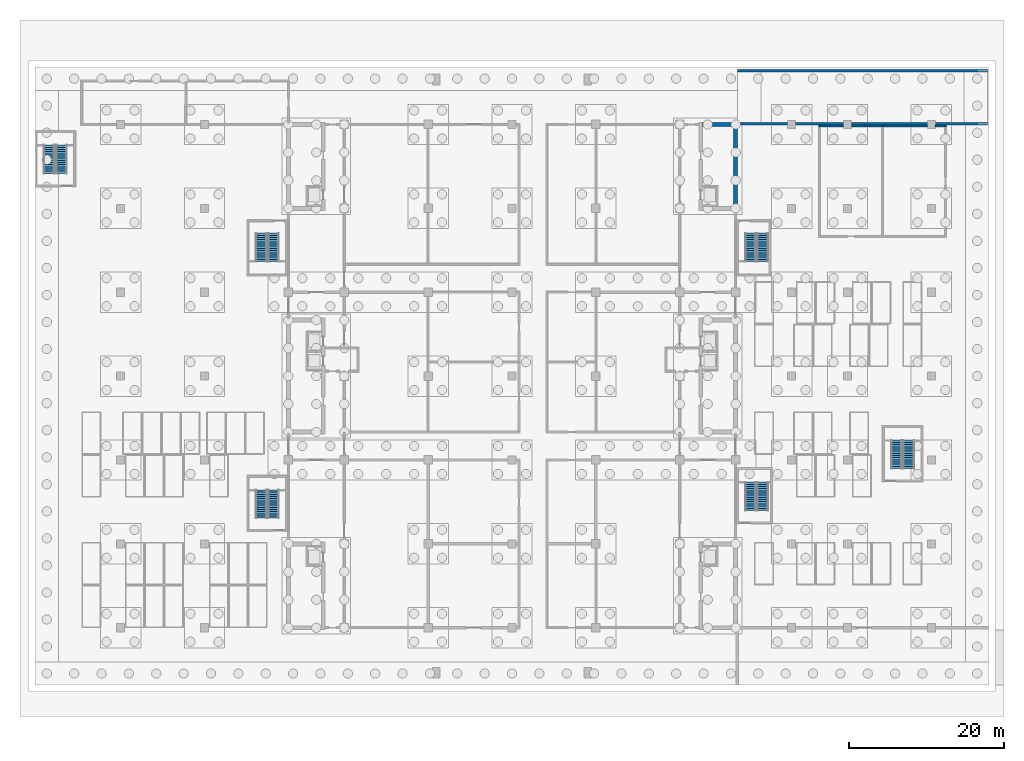
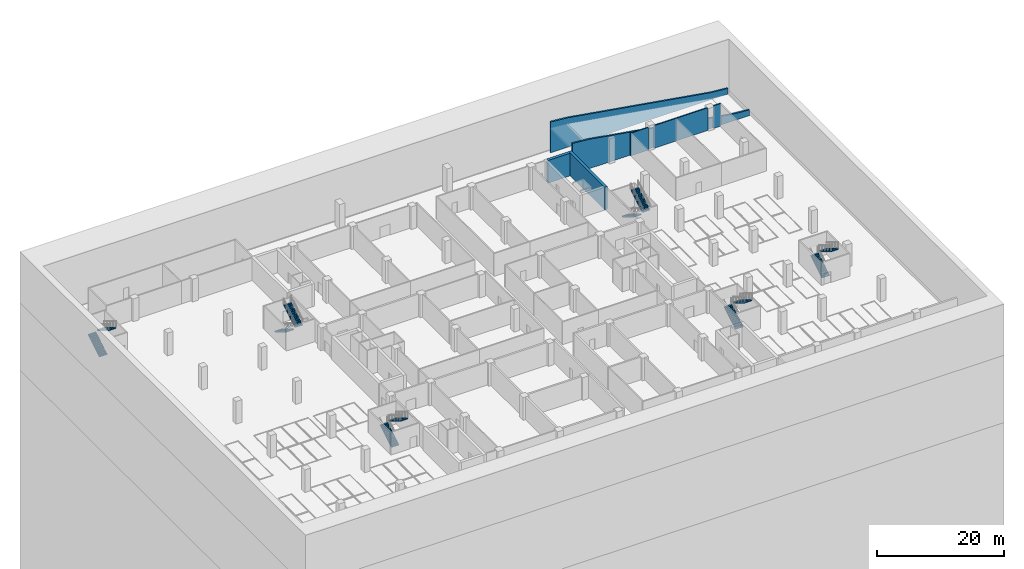
# One storey, part 12 of 18: 12 stair flights, 8 walls, 6 elements without a shape of their own.
"""IFC4 building model written with IfcOpenShell, lengths in metres."""

from ifc_helpers import new_model, si_unit, direction, frame, frame_2d, origin, place, context, subcontext, project, spatial, polyline, rectangle, outline, extrude, material, layer, layer_set, type_object, element, aggregate, save


model = new_model("IFC4")

# Units and contexts
model_context = context("Model", 3, precision=1e-05, world=origin(), true_north=direction((0.0, 1.0)))
body_context = subcontext(model_context, "Body", "Model", "MODEL_VIEW")
ifc_project = project(units=[si_unit("LENGTHUNIT", "METRE"), si_unit("AREAUNIT", "SQUARE_METRE"), si_unit("VOLUMEUNIT", "CUBIC_METRE"), si_unit("PLANEANGLEUNIT", "RADIAN"), si_unit("MASSUNIT", "GRAM", prefix="KILO")], contexts=[model_context])

# Site, building, storey
site_placement = place(None, origin())
site = spatial("IfcSite", under=ifc_project, at=site_placement, CompositionType="ELEMENT")
building_placement = place(site_placement, origin())
building = spatial("IfcBuilding", under=site, at=building_placement, Name="Basin Gate Institute", CompositionType="ELEMENT")
storey_placement = place(building_placement, frame((0.0, 0.0, -9.60009765625)))
storey = spatial("IfcBuildingStorey", under=building, at=storey_placement, Name="B2", CompositionType="ELEMENT", Elevation=-9.60009765625)

# Walls
ifc_material_1 = material(Name="Blockwork", Category="masonry")
ifc_layer_1 = layer(ifc_material_1, 0.199951171875)
ifc_layer_set_1 = layer_set([ifc_layer_1], Name="Basement fire partition EI 120")
wall_type_1 = type_object("IfcWallType", Name="Basement fire partition EI 120", PredefinedType="PARTITIONING", material=ifc_layer_set_1)
wall_1_placement = place(storey_placement, frame((129.5, 99.699951171875, 0.0), z_axis=(0.0, 0.0, 1.0), x_axis=(1.0, 0.0, 0.0)))
element("IfcWall", 1, at=wall_1_placement, inside=storey, type_object=wall_type_1, material=ifc_layer_set_1, Name="Substation fire-resisting wall", PredefinedType="PARTITIONING", context=body_context, shape_type="SweptSolid", body=[
    extrude(rectangle(XDim=3.175048828125, YDim=0.199951171875, at=frame_2d((1.58740234375, 0.0))), origin(), (0.0, 0.0, 1.0), 4.35009765625),
])
wall_2_placement = place(storey_placement, frame((133.72509765625, 99.699951171875, 0.0), z_axis=(0.0, 0.0, 1.0), x_axis=(1.0, 0.0, 0.0)))
element("IfcWall", 2, at=wall_2_placement, inside=storey, type_object=wall_type_1, material=ifc_layer_set_1, Name="Substation fire-resisting wall", PredefinedType="PARTITIONING", context=body_context, shape_type="SweptSolid", body=[
    extrude(rectangle(XDim=4.074951171875, YDim=0.199951171875, at=frame_2d((2.03759765625, 0.0))), origin(), (0.0, 0.0, 1.0), 4.35009765625),
])
wall_3_placement = place(storey_placement, frame((137.800048828125, 99.699951171875, 0.0), z_axis=(0.0, 0.0, 1.0), x_axis=(1.0, 0.0, 0.0)))
element("IfcWall", 3, at=wall_3_placement, inside=storey, type_object=wall_type_1, material=ifc_layer_set_1, Name="Generator Room fire-resisting wall", PredefinedType="PARTITIONING", context=body_context, shape_type="SweptSolid", body=[
    extrude(rectangle(XDim=5.675048828125, YDim=0.199951171875, at=frame_2d((2.83740234375, 0.0))), origin(), (0.0, 0.0, 1.0), 4.35009765625),
])
wall_4_placement = place(storey_placement, frame((144.52490234375, 99.699951171875, 0.0), z_axis=(0.0, 0.0, 1.0), x_axis=(1.0, 0.0, 0.0)))
element("IfcWall", 4, at=wall_4_placement, inside=storey, type_object=wall_type_1, material=ifc_layer_set_1, Name="Generator Room fire-resisting wall", PredefinedType="PARTITIONING", context=body_context, shape_type="SweptSolid", body=[
    extrude(rectangle(XDim=1.375, YDim=0.199951171875, at=frame_2d((0.6875, 0.0))), origin(), (0.0, 0.0, 1.0), 4.35009765625),
])
ifc_material_2 = material(Name="Concrete 40 MPa", Category="concrete")
ifc_layer_2 = layer(ifc_material_2, 0.300048828125)
ifc_layer_set_2 = layer_set([ifc_layer_2], Name="Concrete 40 MPa")
wall_type_2 = type_object("IfcWallType", Name="Wall RW1 ramp wall R180", PredefinedType="SOLIDWALL", material=ifc_layer_set_2)
for number, where, z_axis, x_axis, name in (
    (5, (119.050048828125, 100.0, 0.0), (0.0, 0.0, 1.0), (1.0, 0.0, 0.0), "Ramp wall RW1 R2 south"),
    (6, (119.050048828125, 106.800048828125, 0.0), (0.0, 0.0, 1.0), (1.0, 0.0, 0.0), "Ramp wall RW1 R2 north"),
):
    element("IfcWall", number, at=place(storey_placement, frame(where, z_axis=z_axis, x_axis=x_axis)), inside=storey, type_object=wall_type_2, material=ifc_layer_set_2, Name=name, PredefinedType="SOLIDWALL", context=body_context, shape_type="SweptSolid", body=[
        extrude(outline(polyline([(0.0, 0.0), (32.14990234375, 0.0), (32.14990234375, 1.10009765625), (32.0, 1.112548828125), (31.0, 1.19580078125), (30.0, 1.279296875), (29.14990234375, 1.35009765625), (29.0, 1.374755859375), (28.0, 1.539306640625), (27.0, 1.70361328125), (26.0, 1.8681640625), (25.0, 2.032470703125), (24.0, 2.19677734375), (23.0, 2.361328125), (22.0, 2.52587890625), (21.0, 2.690185546875), (20.0, 2.854736328125), (19.0, 3.01904296875), (18.0, 3.18359375), (17.0, 3.347900390625), (16.0, 3.512451171875), (15.0, 3.677001953125), (14.0, 3.84130859375), (13.0, 4.005615234375), (12.0, 4.170166015625), (11.0, 4.334716796875), (10.0, 4.4990234375), (9.0, 4.66357421875), (8.0, 4.827880859375), (7.0, 4.992431640625), (6.0, 5.15673828125), (5.0, 5.3212890625), (4.0, 5.485595703125), (3.0, 5.650146484375), (2.0, 5.7333984375), (1.0, 5.81689453125), (0.0, 5.900146484375), (0.0, 0.0)])), frame((0.0, 0.14990234375, 0.0), z_axis=(0.0, -1.0, 0.0), x_axis=(1.0, 0.0, 0.0)), (0.0, 0.0, 1.0), 0.300048828125),
    ])
ifc_material_3 = material(Name="Concrete 60 MPa", Category="concrete")
ifc_layer_3 = layer(ifc_material_3, 0.5)
ifc_layer_set_3 = layer_set([ifc_layer_3], Name="Concrete 60 MPa")
wall_type_3 = type_object("IfcWallType", Name="Wall SW1 R180", PredefinedType="SHEAR", material=ifc_layer_set_3)
wall_5_placement = place(storey_placement, frame((118.800048828125, 88.85009765625, 0.0), z_axis=(0.0, 0.0, 1.0), x_axis=(0.0, 1.0, 0.0)))
element("IfcWall", 7, at=wall_5_placement, inside=storey, type_object=wall_type_3, material=ifc_layer_set_3, Name="WALL/B2/EN/L", PredefinedType="SHEAR", context=body_context, shape_type="SweptSolid", body=[
    extrude(rectangle(XDim=11.2998046875, YDim=0.5, at=frame_2d((5.64990234375, 0.0))), origin(), (0.0, 0.0, 1.0), 4.35009765625),
])
wall_6_placement = place(storey_placement, frame((118.550048828125, 99.89990234375, 0.0), z_axis=(0.0, 0.0, 1.0), x_axis=(-1.0, 0.0, 0.0)))
element("IfcWall", 8, at=wall_6_placement, inside=storey, type_object=wall_type_3, material=ifc_layer_set_3, Name="WALL/B2/EN/N", PredefinedType="SHEAR", context=body_context, shape_type="SweptSolid", body=[
    extrude(rectangle(XDim=4.0, YDim=0.5, at=frame_2d((2.0, 0.0))), origin(), (0.0, 0.0, 1.0), 4.35009765625),
])

# Stair, stair flights
ifc_material_4 = material(Name="Concrete 40 MPa", Category="concrete")
stair_type = type_object("IfcStairType", Name="Stair ST", PredefinedType="HALF_TURN_STAIR", material=ifc_material_4)
stair_1_placement = place(storey_placement, origin())
stair_1 = element("IfcStair", 9, at=stair_1_placement, inside=storey, type_object=stair_type, material=ifc_material_4, Name="Basement stair ST-BS1 B2", PredefinedType="HALF_TURN_STAIR")
ifc_material_5 = material(Name="Concrete 40 MPa", Category="concrete")
stair_flight_type = type_object("IfcStairFlightType", Name="Stair flight FL", PredefinedType="STRAIGHT", material=ifc_material_5)
stair_flight_1_placement = place(storey_placement, frame((57.699951171875, 49.199951171875, 0.0), z_axis=(0.0, 0.0, 1.0), x_axis=(0.0, 1.0, 0.0)))
stair_flight_1 = element("IfcStairFlight", 10, at=stair_flight_1_placement, type_object=stair_flight_type, material=ifc_material_5, Name="Stair flight ST-BS1-F1 B2", NumberOfRisers=14, NumberOfTreads=13, PredefinedType="STRAIGHT", RiserHeight=0.171428571, TreadLength=0.28, context=body_context, shape_type="SweptSolid", body=[
    extrude(outline(polyline([(0.0, 0.0), (0.0, 0.17138671875), (0.280029296875, 0.17138671875), (0.280029296875, 0.3427734375), (0.56005859375, 0.3427734375), (0.56005859375, 0.514404296875), (0.840087890625, 0.514404296875), (0.840087890625, 0.685791015625), (1.1201171875, 0.685791015625), (1.1201171875, 0.857177734375), (1.39990234375, 0.857177734375), (1.39990234375, 1.028564453125), (1.679931640625, 1.028564453125), (1.679931640625, 1.199951171875), (1.9599609375, 1.199951171875), (1.9599609375, 1.371337890625), (2.239990234375, 1.371337890625), (2.239990234375, 1.54296875), (2.52001953125, 1.54296875), (2.52001953125, 1.71435546875), (2.800048828125, 1.71435546875), (2.800048828125, 1.8857421875), (3.080078125, 1.8857421875), (3.080078125, 2.05712890625), (3.360107421875, 2.05712890625), (3.360107421875, 2.228515625), (3.639892578125, 2.228515625), (3.639892578125, 2.39990234375), (3.639892578125, 2.052734375), (0.287109375, 0.0), (0.0, 0.0)])), frame((0.0, 0.699951171875, 0.0), z_axis=(0.0, -1.0, 0.0), x_axis=(1.0, 0.0, 0.0)), (0.0, 0.0, 1.0), 1.39990234375),
])
stair_flight_2_placement = place(storey_placement, frame((59.300048828125, 52.840087890625, 2.400146484375), z_axis=(0.0, 0.0, 1.0), x_axis=(0.0, -1.0, 0.0)))
stair_flight_2 = element("IfcStairFlight", 11, at=stair_flight_2_placement, type_object=stair_flight_type, material=ifc_material_5, Name="Stair flight ST-BS1-F2 B2", NumberOfRisers=14, NumberOfTreads=13, PredefinedType="STRAIGHT", RiserHeight=0.171428571, TreadLength=0.28, context=body_context, shape_type="SweptSolid", body=[
    extrude(outline(polyline([(0.0, 0.0), (0.0, 0.17138671875), (0.280029296875, 0.17138671875), (0.280029296875, 0.3427734375), (0.56005859375, 0.3427734375), (0.56005859375, 0.514404296875), (0.840087890625, 0.514404296875), (0.840087890625, 0.685791015625), (1.1201171875, 0.685791015625), (1.1201171875, 0.857177734375), (1.39990234375, 0.857177734375), (1.39990234375, 1.028564453125), (1.679931640625, 1.028564453125), (1.679931640625, 1.199951171875), (1.9599609375, 1.199951171875), (1.9599609375, 1.371337890625), (2.239990234375, 1.371337890625), (2.239990234375, 1.54296875), (2.52001953125, 1.54296875), (2.52001953125, 1.71435546875), (2.800048828125, 1.71435546875), (2.800048828125, 1.8857421875), (3.080078125, 1.8857421875), (3.080078125, 2.05712890625), (3.360107421875, 2.05712890625), (3.360107421875, 2.228515625), (3.639892578125, 2.228515625), (3.639892578125, 2.39990234375), (3.639892578125, 2.052734375), (0.287109375, 0.0), (0.0, 0.0)])), frame((0.0, 0.699951171875, 0.0), z_axis=(0.0, -1.0, 0.0), x_axis=(1.0, 0.0, 0.0)), (0.0, 0.0, 1.0), 1.39990234375),
])
aggregate(stair_1, [stair_flight_1, stair_flight_2])

stair_2_placement = place(storey_placement, origin())
stair_2 = element("IfcStair", 12, at=stair_2_placement, inside=storey, type_object=stair_type, material=ifc_material_4, Name="Basement stair ST-BS2 B2", PredefinedType="HALF_TURN_STAIR")
stair_flight_3_placement = place(storey_placement, frame((57.699951171875, 85.89990234375, 0.0), z_axis=(0.0, 0.0, 1.0), x_axis=(0.0, -1.0, 0.0)))
stair_flight_3 = element("IfcStairFlight", 13, at=stair_flight_3_placement, type_object=stair_flight_type, material=ifc_material_5, Name="Stair flight ST-BS2-F1 B2", NumberOfRisers=14, NumberOfTreads=13, PredefinedType="STRAIGHT", RiserHeight=0.171428571, TreadLength=0.28, context=body_context, shape_type="SweptSolid", body=[
    extrude(outline(polyline([(0.0, 0.0), (0.0, 0.17138671875), (0.280029296875, 0.17138671875), (0.280029296875, 0.3427734375), (0.56005859375, 0.3427734375), (0.56005859375, 0.514404296875), (0.840087890625, 0.514404296875), (0.840087890625, 0.685791015625), (1.1201171875, 0.685791015625), (1.1201171875, 0.857177734375), (1.39990234375, 0.857177734375), (1.39990234375, 1.028564453125), (1.679931640625, 1.028564453125), (1.679931640625, 1.199951171875), (1.9599609375, 1.199951171875), (1.9599609375, 1.371337890625), (2.239990234375, 1.371337890625), (2.239990234375, 1.54296875), (2.52001953125, 1.54296875), (2.52001953125, 1.71435546875), (2.800048828125, 1.71435546875), (2.800048828125, 1.8857421875), (3.080078125, 1.8857421875), (3.080078125, 2.05712890625), (3.360107421875, 2.05712890625), (3.360107421875, 2.228515625), (3.639892578125, 2.228515625), (3.639892578125, 2.39990234375), (3.639892578125, 2.052734375), (0.287109375, 0.0), (0.0, 0.0)])), frame((0.0, 0.699951171875, 0.0), z_axis=(0.0, -1.0, 0.0), x_axis=(1.0, 0.0, 0.0)), (0.0, 0.0, 1.0), 1.39990234375),
])
stair_flight_4_placement = place(storey_placement, frame((59.300048828125, 82.260009765625, 2.400146484375), z_axis=(0.0, 0.0, 1.0), x_axis=(0.0, 1.0, 0.0)))
stair_flight_4 = element("IfcStairFlight", 14, at=stair_flight_4_placement, type_object=stair_flight_type, material=ifc_material_5, Name="Stair flight ST-BS2-F2 B2", NumberOfRisers=14, NumberOfTreads=13, PredefinedType="STRAIGHT", RiserHeight=0.171428571, TreadLength=0.28, context=body_context, shape_type="SweptSolid", body=[
    extrude(outline(polyline([(0.0, 0.0), (0.0, 0.17138671875), (0.280029296875, 0.17138671875), (0.280029296875, 0.3427734375), (0.56005859375, 0.3427734375), (0.56005859375, 0.514404296875), (0.840087890625, 0.514404296875), (0.840087890625, 0.685791015625), (1.1201171875, 0.685791015625), (1.1201171875, 0.857177734375), (1.39990234375, 0.857177734375), (1.39990234375, 1.028564453125), (1.679931640625, 1.028564453125), (1.679931640625, 1.199951171875), (1.9599609375, 1.199951171875), (1.9599609375, 1.371337890625), (2.239990234375, 1.371337890625), (2.239990234375, 1.54296875), (2.52001953125, 1.54296875), (2.52001953125, 1.71435546875), (2.800048828125, 1.71435546875), (2.800048828125, 1.8857421875), (3.080078125, 1.8857421875), (3.080078125, 2.05712890625), (3.360107421875, 2.05712890625), (3.360107421875, 2.228515625), (3.639892578125, 2.228515625), (3.639892578125, 2.39990234375), (3.639892578125, 2.052734375), (0.287109375, 0.0), (0.0, 0.0)])), frame((0.0, 0.699951171875, 0.0), z_axis=(0.0, -1.0, 0.0), x_axis=(1.0, 0.0, 0.0)), (0.0, 0.0, 1.0), 1.39990234375),
])
aggregate(stair_2, [stair_flight_3, stair_flight_4])

stair_3_placement = place(storey_placement, origin())
stair_3 = element("IfcStair", 15, at=stair_3_placement, inside=storey, type_object=stair_type, material=ifc_material_4, Name="Basement stair ST-BS3 B2", PredefinedType="HALF_TURN_STAIR")
stair_flight_5_placement = place(storey_placement, frame((120.699951171875, 50.199951171875, 0.0), z_axis=(0.0, 0.0, 1.0), x_axis=(0.0, 1.0, 0.0)))
stair_flight_5 = element("IfcStairFlight", 16, at=stair_flight_5_placement, type_object=stair_flight_type, material=ifc_material_5, Name="Stair flight ST-BS3-F1 B2", NumberOfRisers=14, NumberOfTreads=13, PredefinedType="STRAIGHT", RiserHeight=0.171428571, TreadLength=0.28, context=body_context, shape_type="SweptSolid", body=[
    extrude(outline(polyline([(0.0, 0.0), (0.0, 0.17138671875), (0.280029296875, 0.17138671875), (0.280029296875, 0.3427734375), (0.56005859375, 0.3427734375), (0.56005859375, 0.514404296875), (0.840087890625, 0.514404296875), (0.840087890625, 0.685791015625), (1.1201171875, 0.685791015625), (1.1201171875, 0.857177734375), (1.39990234375, 0.857177734375), (1.39990234375, 1.028564453125), (1.679931640625, 1.028564453125), (1.679931640625, 1.199951171875), (1.9599609375, 1.199951171875), (1.9599609375, 1.371337890625), (2.239990234375, 1.371337890625), (2.239990234375, 1.54296875), (2.52001953125, 1.54296875), (2.52001953125, 1.71435546875), (2.800048828125, 1.71435546875), (2.800048828125, 1.8857421875), (3.080078125, 1.8857421875), (3.080078125, 2.05712890625), (3.360107421875, 2.05712890625), (3.360107421875, 2.228515625), (3.639892578125, 2.228515625), (3.639892578125, 2.39990234375), (3.639892578125, 2.052734375), (0.287109375, 0.0), (0.0, 0.0)])), frame((0.0, 0.699951171875, 0.0), z_axis=(0.0, -1.0, 0.0), x_axis=(1.0, 0.0, 0.0)), (0.0, 0.0, 1.0), 1.39990234375),
])
stair_flight_6_placement = place(storey_placement, frame((122.300048828125, 53.840087890625, 2.400146484375), z_axis=(0.0, 0.0, 1.0), x_axis=(0.0, -1.0, 0.0)))
stair_flight_6 = element("IfcStairFlight", 17, at=stair_flight_6_placement, type_object=stair_flight_type, material=ifc_material_5, Name="Stair flight ST-BS3-F2 B2", NumberOfRisers=14, NumberOfTreads=13, PredefinedType="STRAIGHT", RiserHeight=0.171428571, TreadLength=0.28, context=body_context, shape_type="SweptSolid", body=[
    extrude(outline(polyline([(0.0, 0.0), (0.0, 0.17138671875), (0.280029296875, 0.17138671875), (0.280029296875, 0.3427734375), (0.56005859375, 0.3427734375), (0.56005859375, 0.514404296875), (0.840087890625, 0.514404296875), (0.840087890625, 0.685791015625), (1.1201171875, 0.685791015625), (1.1201171875, 0.857177734375), (1.39990234375, 0.857177734375), (1.39990234375, 1.028564453125), (1.679931640625, 1.028564453125), (1.679931640625, 1.199951171875), (1.9599609375, 1.199951171875), (1.9599609375, 1.371337890625), (2.239990234375, 1.371337890625), (2.239990234375, 1.54296875), (2.52001953125, 1.54296875), (2.52001953125, 1.71435546875), (2.800048828125, 1.71435546875), (2.800048828125, 1.8857421875), (3.080078125, 1.8857421875), (3.080078125, 2.05712890625), (3.360107421875, 2.05712890625), (3.360107421875, 2.228515625), (3.639892578125, 2.228515625), (3.639892578125, 2.39990234375), (3.639892578125, 2.052734375), (0.287109375, 0.0), (0.0, 0.0)])), frame((0.0, 0.699951171875, 0.0), z_axis=(0.0, -1.0, 0.0), x_axis=(1.0, 0.0, 0.0)), (0.0, 0.0, 1.0), 1.39990234375),
])
aggregate(stair_3, [stair_flight_5, stair_flight_6])

stair_4_placement = place(storey_placement, origin())
stair_4 = element("IfcStair", 18, at=stair_4_placement, inside=storey, type_object=stair_type, material=ifc_material_4, Name="Basement stair ST-BS4 B2", PredefinedType="HALF_TURN_STAIR")
stair_flight_7_placement = place(storey_placement, frame((120.699951171875, 85.89990234375, 0.0), z_axis=(0.0, 0.0, 1.0), x_axis=(0.0, -1.0, 0.0)))
stair_flight_7 = element("IfcStairFlight", 19, at=stair_flight_7_placement, type_object=stair_flight_type, material=ifc_material_5, Name="Stair flight ST-BS4-F1 B2", NumberOfRisers=14, NumberOfTreads=13, PredefinedType="STRAIGHT", RiserHeight=0.171428571, TreadLength=0.28, context=body_context, shape_type="SweptSolid", body=[
    extrude(outline(polyline([(0.0, 0.0), (0.0, 0.17138671875), (0.280029296875, 0.17138671875), (0.280029296875, 0.3427734375), (0.56005859375, 0.3427734375), (0.56005859375, 0.514404296875), (0.840087890625, 0.514404296875), (0.840087890625, 0.685791015625), (1.1201171875, 0.685791015625), (1.1201171875, 0.857177734375), (1.39990234375, 0.857177734375), (1.39990234375, 1.028564453125), (1.679931640625, 1.028564453125), (1.679931640625, 1.199951171875), (1.9599609375, 1.199951171875), (1.9599609375, 1.371337890625), (2.239990234375, 1.371337890625), (2.239990234375, 1.54296875), (2.52001953125, 1.54296875), (2.52001953125, 1.71435546875), (2.800048828125, 1.71435546875), (2.800048828125, 1.8857421875), (3.080078125, 1.8857421875), (3.080078125, 2.05712890625), (3.360107421875, 2.05712890625), (3.360107421875, 2.228515625), (3.639892578125, 2.228515625), (3.639892578125, 2.39990234375), (3.639892578125, 2.052734375), (0.287109375, 0.0), (0.0, 0.0)])), frame((0.0, 0.699951171875, 0.0), z_axis=(0.0, -1.0, 0.0), x_axis=(1.0, 0.0, 0.0)), (0.0, 0.0, 1.0), 1.39990234375),
])
stair_flight_8_placement = place(storey_placement, frame((122.300048828125, 82.260009765625, 2.400146484375), z_axis=(0.0, 0.0, 1.0), x_axis=(0.0, 1.0, 0.0)))
stair_flight_8 = element("IfcStairFlight", 20, at=stair_flight_8_placement, type_object=stair_flight_type, material=ifc_material_5, Name="Stair flight ST-BS4-F2 B2", NumberOfRisers=14, NumberOfTreads=13, PredefinedType="STRAIGHT", RiserHeight=0.171428571, TreadLength=0.28, context=body_context, shape_type="SweptSolid", body=[
    extrude(outline(polyline([(0.0, 0.0), (0.0, 0.17138671875), (0.280029296875, 0.17138671875), (0.280029296875, 0.3427734375), (0.56005859375, 0.3427734375), (0.56005859375, 0.514404296875), (0.840087890625, 0.514404296875), (0.840087890625, 0.685791015625), (1.1201171875, 0.685791015625), (1.1201171875, 0.857177734375), (1.39990234375, 0.857177734375), (1.39990234375, 1.028564453125), (1.679931640625, 1.028564453125), (1.679931640625, 1.199951171875), (1.9599609375, 1.199951171875), (1.9599609375, 1.371337890625), (2.239990234375, 1.371337890625), (2.239990234375, 1.54296875), (2.52001953125, 1.54296875), (2.52001953125, 1.71435546875), (2.800048828125, 1.71435546875), (2.800048828125, 1.8857421875), (3.080078125, 1.8857421875), (3.080078125, 2.05712890625), (3.360107421875, 2.05712890625), (3.360107421875, 2.228515625), (3.639892578125, 2.228515625), (3.639892578125, 2.39990234375), (3.639892578125, 2.052734375), (0.287109375, 0.0), (0.0, 0.0)])), frame((0.0, 0.699951171875, 0.0), z_axis=(0.0, -1.0, 0.0), x_axis=(1.0, 0.0, 0.0)), (0.0, 0.0, 1.0), 1.39990234375),
])
aggregate(stair_4, [stair_flight_7, stair_flight_8])

stair_5_placement = place(storey_placement, origin())
stair_5 = element("IfcStair", 21, at=stair_5_placement, inside=storey, type_object=stair_type, material=ifc_material_4, Name="Basement stair ST-BS5 B2", PredefinedType="HALF_TURN_STAIR")
stair_flight_9_placement = place(storey_placement, frame((30.39990234375, 93.60009765625, 0.0), z_axis=(0.0, 0.0, 1.0), x_axis=(0.0, 1.0, 0.0)))
stair_flight_9 = element("IfcStairFlight", 22, at=stair_flight_9_placement, type_object=stair_flight_type, material=ifc_material_5, Name="Stair flight ST-BS5-F1 B2", NumberOfRisers=14, NumberOfTreads=13, PredefinedType="STRAIGHT", RiserHeight=0.171428571, TreadLength=0.28, context=body_context, shape_type="SweptSolid", body=[
    extrude(outline(polyline([(0.0, 0.0), (0.0, 0.17138671875), (0.280029296875, 0.17138671875), (0.280029296875, 0.3427734375), (0.56005859375, 0.3427734375), (0.56005859375, 0.514404296875), (0.840087890625, 0.514404296875), (0.840087890625, 0.685791015625), (1.1201171875, 0.685791015625), (1.1201171875, 0.857177734375), (1.39990234375, 0.857177734375), (1.39990234375, 1.028564453125), (1.679931640625, 1.028564453125), (1.679931640625, 1.199951171875), (1.9599609375, 1.199951171875), (1.9599609375, 1.371337890625), (2.239990234375, 1.371337890625), (2.239990234375, 1.54296875), (2.52001953125, 1.54296875), (2.52001953125, 1.71435546875), (2.800048828125, 1.71435546875), (2.800048828125, 1.8857421875), (3.080078125, 1.8857421875), (3.080078125, 2.05712890625), (3.360107421875, 2.05712890625), (3.360107421875, 2.228515625), (3.639892578125, 2.228515625), (3.639892578125, 2.39990234375), (3.639892578125, 2.052734375), (0.287109375, 0.0), (0.0, 0.0)])), frame((0.0, 0.699951171875, 0.0), z_axis=(0.0, -1.0, 0.0), x_axis=(1.0, 0.0, 0.0)), (0.0, 0.0, 1.0), 1.39990234375),
])
stair_flight_10_placement = place(storey_placement, frame((32.0, 97.239990234375, 2.400146484375), z_axis=(0.0, 0.0, 1.0), x_axis=(0.0, -1.0, 0.0)))
stair_flight_10 = element("IfcStairFlight", 23, at=stair_flight_10_placement, type_object=stair_flight_type, material=ifc_material_5, Name="Stair flight ST-BS5-F2 B2", NumberOfRisers=14, NumberOfTreads=13, PredefinedType="STRAIGHT", RiserHeight=0.171428571, TreadLength=0.28, context=body_context, shape_type="SweptSolid", body=[
    extrude(outline(polyline([(0.0, 0.0), (0.0, 0.17138671875), (0.280029296875, 0.17138671875), (0.280029296875, 0.3427734375), (0.56005859375, 0.3427734375), (0.56005859375, 0.514404296875), (0.840087890625, 0.514404296875), (0.840087890625, 0.685791015625), (1.1201171875, 0.685791015625), (1.1201171875, 0.857177734375), (1.39990234375, 0.857177734375), (1.39990234375, 1.028564453125), (1.679931640625, 1.028564453125), (1.679931640625, 1.199951171875), (1.9599609375, 1.199951171875), (1.9599609375, 1.371337890625), (2.239990234375, 1.371337890625), (2.239990234375, 1.54296875), (2.52001953125, 1.54296875), (2.52001953125, 1.71435546875), (2.800048828125, 1.71435546875), (2.800048828125, 1.8857421875), (3.080078125, 1.8857421875), (3.080078125, 2.05712890625), (3.360107421875, 2.05712890625), (3.360107421875, 2.228515625), (3.639892578125, 2.228515625), (3.639892578125, 2.39990234375), (3.639892578125, 2.052734375), (0.287109375, 0.0), (0.0, 0.0)])), frame((0.0, 0.699951171875, 0.0), z_axis=(0.0, -1.0, 0.0), x_axis=(1.0, 0.0, 0.0)), (0.0, 0.0, 1.0), 1.39990234375),
])
aggregate(stair_5, [stair_flight_9, stair_flight_10])

stair_6_placement = place(storey_placement, origin())
stair_6 = element("IfcStair", 24, at=stair_6_placement, inside=storey, type_object=stair_type, material=ifc_material_4, Name="Basement stair ST-BS6 B2", PredefinedType="HALF_TURN_STAIR")
stair_flight_11_placement = place(storey_placement, frame((139.5, 55.60009765625, 0.0), z_axis=(0.0, 0.0, 1.0), x_axis=(0.0, 1.0, 0.0)))
stair_flight_11 = element("IfcStairFlight", 25, at=stair_flight_11_placement, type_object=stair_flight_type, material=ifc_material_5, Name="Stair flight ST-BS6-F1 B2", NumberOfRisers=14, NumberOfTreads=13, PredefinedType="STRAIGHT", RiserHeight=0.171428571, TreadLength=0.28, context=body_context, shape_type="SweptSolid", body=[
    extrude(outline(polyline([(0.0, 0.0), (0.0, 0.17138671875), (0.280029296875, 0.17138671875), (0.280029296875, 0.3427734375), (0.56005859375, 0.3427734375), (0.56005859375, 0.514404296875), (0.840087890625, 0.514404296875), (0.840087890625, 0.685791015625), (1.1201171875, 0.685791015625), (1.1201171875, 0.857177734375), (1.39990234375, 0.857177734375), (1.39990234375, 1.028564453125), (1.679931640625, 1.028564453125), (1.679931640625, 1.199951171875), (1.9599609375, 1.199951171875), (1.9599609375, 1.371337890625), (2.239990234375, 1.371337890625), (2.239990234375, 1.54296875), (2.52001953125, 1.54296875), (2.52001953125, 1.71435546875), (2.800048828125, 1.71435546875), (2.800048828125, 1.8857421875), (3.080078125, 1.8857421875), (3.080078125, 2.05712890625), (3.360107421875, 2.05712890625), (3.360107421875, 2.228515625), (3.639892578125, 2.228515625), (3.639892578125, 2.39990234375), (3.639892578125, 2.052734375), (0.287109375, 0.0), (0.0, 0.0)])), frame((0.0, 0.699951171875, 0.0), z_axis=(0.0, -1.0, 0.0), x_axis=(1.0, 0.0, 0.0)), (0.0, 0.0, 1.0), 1.39990234375),
])
stair_flight_12_placement = place(storey_placement, frame((141.10009765625, 59.239990234375, 2.400146484375), z_axis=(0.0, 0.0, 1.0), x_axis=(0.0, -1.0, 0.0)))
stair_flight_12 = element("IfcStairFlight", 26, at=stair_flight_12_placement, type_object=stair_flight_type, material=ifc_material_5, Name="Stair flight ST-BS6-F2 B2", NumberOfRisers=14, NumberOfTreads=13, PredefinedType="STRAIGHT", RiserHeight=0.171428571, TreadLength=0.28, context=body_context, shape_type="SweptSolid", body=[
    extrude(outline(polyline([(0.0, 0.0), (0.0, 0.17138671875), (0.280029296875, 0.17138671875), (0.280029296875, 0.3427734375), (0.56005859375, 0.3427734375), (0.56005859375, 0.514404296875), (0.840087890625, 0.514404296875), (0.840087890625, 0.685791015625), (1.1201171875, 0.685791015625), (1.1201171875, 0.857177734375), (1.39990234375, 0.857177734375), (1.39990234375, 1.028564453125), (1.679931640625, 1.028564453125), (1.679931640625, 1.199951171875), (1.9599609375, 1.199951171875), (1.9599609375, 1.371337890625), (2.239990234375, 1.371337890625), (2.239990234375, 1.54296875), (2.52001953125, 1.54296875), (2.52001953125, 1.71435546875), (2.800048828125, 1.71435546875), (2.800048828125, 1.8857421875), (3.080078125, 1.8857421875), (3.080078125, 2.05712890625), (3.360107421875, 2.05712890625), (3.360107421875, 2.228515625), (3.639892578125, 2.228515625), (3.639892578125, 2.39990234375), (3.639892578125, 2.052734375), (0.287109375, 0.0), (0.0, 0.0)])), frame((0.0, 0.699951171875, 0.0), z_axis=(0.0, -1.0, 0.0), x_axis=(1.0, 0.0, 0.0)), (0.0, 0.0, 1.0), 1.39990234375),
])
aggregate(stair_6, [stair_flight_11, stair_flight_12])

save(model, "model.ifc")
